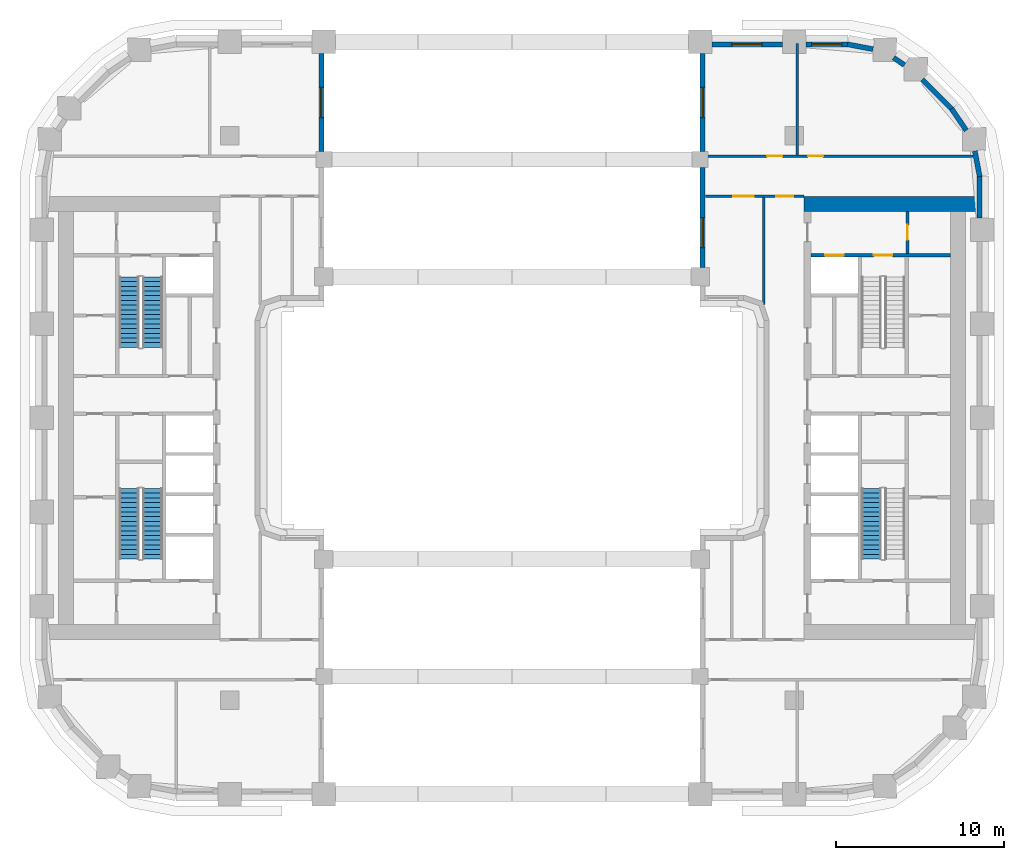
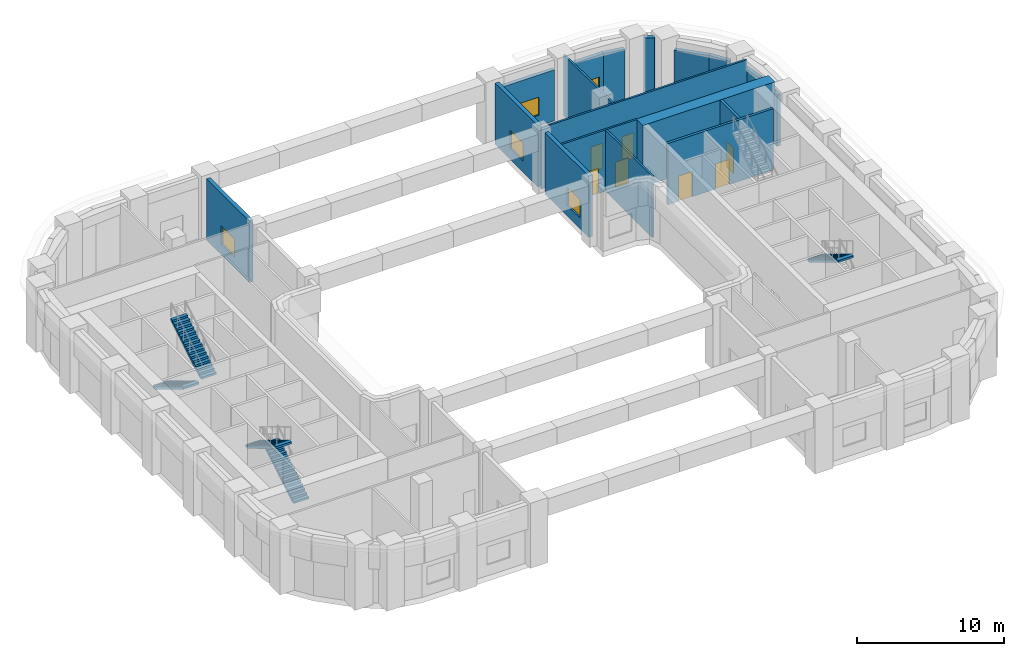
# One storey, part 6 of 14: 18 walls, 7 doors, 5 stair flights, 5 windows, 12 openings, 3 elements without a shape of their own.
"""IFC4 building model written with IfcOpenShell, lengths in metres."""

from ifc_helpers import new_model, si_unit, direction, frame, frame_2d, origin, place, context, subcontext, project, spatial, polyline, rectangle, outline, extrude, material, layer, layer_set, type_object, element, fill, aggregate, save


model = new_model("IFC4")

# Units and contexts
model_context = context("Model", 3, precision=1e-05, world=origin(), true_north=direction((0.0, 1.0)))
body_context = subcontext(model_context, "Body", "Model", "MODEL_VIEW")
ifc_project = project(units=[si_unit("LENGTHUNIT", "METRE"), si_unit("AREAUNIT", "SQUARE_METRE"), si_unit("VOLUMEUNIT", "CUBIC_METRE"), si_unit("PLANEANGLEUNIT", "RADIAN"), si_unit("MASSUNIT", "GRAM", prefix="KILO")], contexts=[model_context])

# Site, building, storey
site_placement = place(None, origin())
site = spatial("IfcSite", under=ifc_project, at=site_placement, CompositionType="ELEMENT")
building_placement = place(site_placement, origin())
building = spatial("IfcBuilding", under=site, at=building_placement, Name="Kiln Ring Residences", CompositionType="ELEMENT")
storey_placement = place(building_placement, frame((0.0, 0.0, 77.89990234375)))
storey = spatial("IfcBuildingStorey", under=building, at=storey_placement, Name="L19", CompositionType="ELEMENT", Elevation=77.89990234375)

# Wall, opening, door
ifc_material_1 = material(Name="Gypsum board on steel studs", Category="steel")
ifc_layer_1 = layer(ifc_material_1, 0.199951171875)
ifc_layer_set_1 = layer_set([ifc_layer_1], Name="CORE-PARTITION-200")
wall_type_1 = type_object("IfcWallType", Name="CORE-PARTITION-200", PredefinedType="PARTITIONING", material=ifc_layer_set_1)
wall_1_placement = place(storey_placement, frame((23.550048828125, 9.800048828125, 0.0), z_axis=(0.0, 0.0, 1.0), x_axis=(0.0, 1.0, 0.0)))
wall_1 = element("IfcWall", 1, at=wall_1_placement, inside=storey, type_object=wall_type_1, Name="Core partition east L19 4", PredefinedType="PARTITIONING", context=body_context, shape_type="SweptSolid", body=[
    extrude(rectangle(XDim=2.5, YDim=0.199951171875, at=frame_2d((1.25, 0.0))), origin(), (0.0, 0.0, 1.0), 5.10009765625),
])
opening_1_placement = place(wall_1_placement, frame((0.800048828125, 0.0, 0.0)))
opening_1 = element("IfcOpeningElement", 2, at=opening_1_placement, cuts=wall_1, Name="Opening L19-CE10", PredefinedType="OPENING", context=body_context, shape_type="SweptSolid", body=[
    extrude(rectangle(XDim=0.89990234375, YDim=2.10009765625, at=frame_2d((0.449951171875, 1.050048828125))), frame((0.0, 0.10986328125, 0.0), z_axis=(0.0, -1.0, 0.0), x_axis=(1.0, 0.0, 0.0)), (0.0, 0.0, 1.0), 0.219970703125),
])
ifc_material_2 = material(Name="Steel door leaf", Category="steel")
door_type_1 = type_object("IfcDoorType", Name="CORE-DOOR-ROOM", OperationType="SINGLE_SWING_LEFT", PredefinedType="DOOR", material=ifc_material_2)
door_1_placement = place(opening_1_placement, origin())
door_1 = element("IfcDoor", 3, at=door_1_placement, inside=storey, type_object=door_type_1, Name="Fire riser room L19-CE10", OperationType="SINGLE_SWING_LEFT", OverallHeight=2.10009765625, OverallWidth=0.89990234375, PredefinedType="DOOR", context=body_context, shape_type="SweptSolid", body=[
    extrude(rectangle(XDim=0.89990234375, YDim=2.10009765625, at=frame_2d((0.449951171875, 1.050048828125))), frame((0.0, 0.02490234375, 0.0), z_axis=(0.0, -1.0, 0.0), x_axis=(1.0, 0.0, 0.0)), (0.0, 0.0, 1.0), 0.050048828125),
])
fill(opening_1, door_1)

# Wall, openings, doors
ifc_material_3 = material(Name="Concrete C40/50", Category="concrete")
ifc_layer_2 = layer(ifc_material_3, 0.199951171875)
ifc_layer_set_2 = layer_set([ifc_layer_2], Name="CORE-WALL-RC200")
wall_type_2 = type_object("IfcWallType", Name="CORE-WALL-RC200", PredefinedType="SHEAR", material=ifc_layer_set_2)
wall_2_placement = place(storey_placement, frame((17.800048828125, 9.699951171875, 0.0), z_axis=(0.0, 0.0, 1.0), x_axis=(1.0, 0.0, 0.0)))
wall_2 = element("IfcWall", 4, at=wall_2_placement, inside=storey, type_object=wall_type_2, Name="Core wall east L19 9", PredefinedType="SHEAR", context=body_context, shape_type="SweptSolid", body=[
    extrude(rectangle(XDim=8.300048828125, YDim=0.199951171875, at=frame_2d((4.14990234375, 0.0))), origin(), (0.0, 0.0, 1.0), 5.10009765625),
])
opening_2_placement = place(wall_2_placement, frame((0.85009765625, 0.0, 0.0)))
opening_2 = element("IfcOpeningElement", 5, at=opening_2_placement, cuts=wall_2, Name="Opening L19-CE07", PredefinedType="OPENING", context=body_context, shape_type="SweptSolid", body=[
    extrude(rectangle(XDim=1.10009765625, YDim=2.10009765625, at=frame_2d((0.550048828125, 1.050048828125))), frame((0.0, 0.10986328125, 0.0), z_axis=(0.0, -1.0, 0.0), x_axis=(1.0, 0.0, 0.0)), (0.0, 0.0, 1.0), 0.219970703125),
])
opening_3_placement = place(wall_2_placement, frame((3.75, 0.0, 0.0)))
opening_3 = element("IfcOpeningElement", 6, at=opening_3_placement, cuts=wall_2, Name="Opening L19-CE12", PredefinedType="OPENING", context=body_context, shape_type="SweptSolid", body=[
    extrude(rectangle(XDim=1.10009765625, YDim=2.10009765625, at=frame_2d((0.550048828125, 1.050048828125))), frame((0.0, 0.10986328125, 0.0), z_axis=(0.0, -1.0, 0.0), x_axis=(1.0, 0.0, 0.0)), (0.0, 0.0, 1.0), 0.219970703125),
])
ifc_material_4 = material(Name="Steel door leaf", Category="steel")
door_type_2 = type_object("IfcDoorType", Name="CORE-DOOR-LD", OperationType="DOUBLE_DOOR_SLIDING", PredefinedType="DOOR", material=ifc_material_4)
door_2_placement = place(opening_2_placement, origin())
door_2 = element("IfcDoor", 7, at=door_2_placement, inside=storey, type_object=door_type_2, Name="LD E-FF L19-CE07", OperationType="DOUBLE_DOOR_SLIDING", OverallHeight=2.10009765625, OverallWidth=1.10009765625, PredefinedType="DOOR", context=body_context, shape_type="SweptSolid", body=[
    extrude(rectangle(XDim=1.10009765625, YDim=2.10009765625, at=frame_2d((0.550048828125, 1.050048828125))), frame((0.0, 0.02490234375, 0.0), z_axis=(0.0, -1.0, 0.0), x_axis=(1.0, 0.0, 0.0)), (0.0, 0.0, 1.0), 0.050048828125),
])
fill(opening_2, door_2)
ifc_material_5 = material(Name="Steel door leaf", Category="steel")
door_type_3 = type_object("IfcDoorType", Name="CORE-DOOR-STAIR", OperationType="SINGLE_SWING_LEFT", PredefinedType="DOOR", material=ifc_material_5)
door_3_placement = place(opening_3_placement, origin())
door_3 = element("IfcDoor", 8, at=door_3_placement, inside=storey, type_object=door_type_3, Name="Stair E-STN L19-CE12", OperationType="SINGLE_SWING_LEFT", OverallHeight=2.10009765625, OverallWidth=1.10009765625, PredefinedType="DOOR", context=body_context, shape_type="SweptSolid", body=[
    extrude(rectangle(XDim=1.10009765625, YDim=2.10009765625, at=frame_2d((0.550048828125, 1.050048828125))), frame((0.0, 0.02490234375, 0.0), z_axis=(0.0, -1.0, 0.0), x_axis=(1.0, 0.0, 0.0)), (0.0, 0.0, 1.0), 0.050048828125),
])
fill(opening_3, door_3)

# Wall
ifc_material_6 = material(Name="Concrete C60/75", Category="concrete")
ifc_layer_3 = layer(ifc_material_6, 0.89990234375)
ifc_layer_set_3 = layer_set([ifc_layer_3], Name="CORE-WALL-RC900")
wall_type_3 = type_object("IfcWallType", Name="CORE-WALL-RC900", PredefinedType="SHEAR", material=ifc_layer_set_3)
wall_3_placement = place(storey_placement, frame((17.39990234375, 12.75, 0.0), z_axis=(0.0, 0.0, 1.0), x_axis=(1.0, 0.0, 0.0)))
element("IfcWall", 9, at=wall_3_placement, inside=storey, type_object=wall_type_3, Name="Core wall east L19 4", PredefinedType="SHEAR", context=body_context, shape_type="SweptSolid", body=[
    extrude(rectangle(XDim=10.400146484375, YDim=0.89990234375, at=frame_2d((5.2001953125, 0.0))), origin(), (0.0, 0.0, 1.0), 5.10009765625),
])

# Wall, opening, window
ifc_material_7 = material(Name="Brick masonry, dark clay brick", Category="masonry")
ifc_layer_4 = layer(ifc_material_7, 0.300048828125)
ifc_layer_set_4 = layer_set([ifc_layer_4], Name="EW-300 BRICK WALL")
wall_type_4 = type_object("IfcWallType", Name="EW-300 BRICK WALL", PredefinedType="SOLIDWALL", material=ifc_layer_set_4)
wall_4_placement = place(storey_placement, frame((-11.35009765625, 15.875, 0.0), z_axis=(0.0, 0.0, 1.0), x_axis=(0.0, 1.0, 0.0)))
wall_4 = element("IfcWall", 10, at=wall_4_placement, inside=storey, type_object=wall_type_4, Name="Facade wall L19 16", PredefinedType="SOLIDWALL", context=body_context, shape_type="SweptSolid", body=[
    extrude(rectangle(XDim=5.824951171875, YDim=0.300048828125, at=frame_2d((2.91259765625, 0.0))), origin(), (0.0, 0.0, 1.0), 5.10009765625),
])
opening_4_placement = place(wall_4_placement, frame((2.012451171875, 0.0, 0.89990234375)))
opening_4 = element("IfcOpeningElement", 11, at=opening_4_placement, cuts=wall_4, Name="Opening LV1", PredefinedType="OPENING", context=body_context, shape_type="SweptSolid", body=[
    extrude(rectangle(XDim=1.800048828125, YDim=1.5, at=frame_2d((0.89990234375, 0.75))), frame((0.0, 0.159912109375, 0.0), z_axis=(0.0, -1.0, 0.0), x_axis=(1.0, 0.0, 0.0)), (0.0, 0.0, 1.0), 0.320068359375),
])
ifc_material_8 = material(Name="Aluminium louvre", Category="aluminium")
window_type = type_object("IfcWindowType", Name="LOUVRED VENT 1800 x 1500", PartitioningType="SINGLE_PANEL", PredefinedType="WINDOW", material=ifc_material_8)
window_1_placement = place(opening_4_placement, origin())
window_1 = element("IfcWindow", 12, at=window_1_placement, inside=storey, type_object=window_type, Name="Louvred vent L19 7", OverallHeight=1.5, OverallWidth=1.800048828125, PartitioningType="SINGLE_PANEL", PredefinedType="WINDOW", context=body_context, shape_type="SweptSolid", body=[
    extrude(rectangle(XDim=1.800048828125, YDim=1.5, at=frame_2d((0.89990234375, 0.75))), frame((0.0, 0.030029296875, 0.0), z_axis=(0.0, -1.0, 0.0), x_axis=(1.0, 0.0, 0.0)), (0.0, 0.0, 1.0), 0.06005859375),
])
fill(opening_4, window_1)

# Walls
wall_5_placement = place(storey_placement, frame((27.85009765625, 11.89990234375, 0.0), z_axis=(0.0, 0.0, 1.0), x_axis=(0.0, 1.0, 0.0)))
element("IfcWall", 13, at=wall_5_placement, inside=storey, type_object=wall_type_4, Name="Facade wall L19 46", PredefinedType="SOLIDWALL", context=body_context, shape_type="SweptSolid", body=[
    extrude(rectangle(XDim=2.5, YDim=0.300048828125, at=frame_2d((1.25, 0.0))), origin(), (0.0, 0.0, 1.0), 4.25),
])
for number, where, z_axis, x_axis, name in (
    (14, (27.8525390625, 14.371826171875, 0.0), (0.0, 0.0, 1.0), (-0.187328386968, 0.982297345734, 0.0), "Facade wall L19 47"),
    (15, (27.053466796875, 17.125732421875, 0.0), (0.0, 0.0, 1.0), (-0.56199241657, 0.827142384187, 0.0), "Facade wall L19 48"),
):
    element("IfcWall", number, at=place(storey_placement, frame(where, z_axis=z_axis, x_axis=x_axis)), inside=storey, type_object=wall_type_4, Name=name, PredefinedType="SOLIDWALL", context=body_context, shape_type="SweptSolid", body=[
        extrude(rectangle(XDim=1.55615234375, YDim=0.300048828125, at=frame_2d((0.778076171875, 0.0))), origin(), (0.0, 0.0, 1.0), 4.25),
    ])
wall_6_placement = place(storey_placement, frame((26.19677734375, 18.390869140625, 0.0), z_axis=(0.0, 0.0, 1.0), x_axis=(-0.707057949532, 0.707155609469, 0.0)))
element("IfcWall", 16, at=wall_6_placement, inside=storey, type_object=wall_type_4, Name="Facade wall L19 49", PredefinedType="SOLIDWALL", context=body_context, shape_type="SweptSolid", body=[
    extrude(rectangle(XDim=2.5, YDim=0.300048828125, at=frame_2d((1.25, 0.0))), origin(), (0.0, 0.0, 1.0), 4.25),
])
wall_7_placement = place(storey_placement, frame((23.368408203125, 21.016845703125, 0.0), z_axis=(0.0, 0.0, 1.0), x_axis=(-0.827037530089, 0.562146710232, 0.0)))
element("IfcWall", 17, at=wall_7_placement, inside=storey, type_object=wall_type_4, Name="Facade wall L19 50", PredefinedType="SOLIDWALL", context=body_context, shape_type="SweptSolid", body=[
    extrude(rectangle(XDim=0.77685546875, YDim=0.300048828125, at=frame_2d((0.388427734375, 0.0))), origin(), (0.0, 0.0, 1.0), 5.10009765625),
])
wall_8_placement = place(storey_placement, frame((21.50048828125, 21.961181640625, 0.0), z_axis=(0.0, 0.0, 1.0), x_axis=(-0.982297345734, 0.187328386968, 0.0)))
element("IfcWall", 18, at=wall_8_placement, inside=storey, type_object=wall_type_4, Name="Facade wall L19 51", PredefinedType="SOLIDWALL", context=body_context, shape_type="SweptSolid", body=[
    extrude(rectangle(XDim=1.55615234375, YDim=0.300048828125, at=frame_2d((0.778076171875, 0.0))), origin(), (0.0, 0.0, 1.0), 4.25),
])

# Wall, opening, window
wall_9_placement = place(storey_placement, frame((20.0, 22.25, 0.0), z_axis=(0.0, 0.0, 1.0), x_axis=(-1.0, 0.0, 0.0)))
wall_9 = element("IfcWall", 19, at=wall_9_placement, inside=storey, type_object=wall_type_4, Name="Facade wall L19 52", PredefinedType="SOLIDWALL", context=body_context, shape_type="SweptSolid", body=[
    extrude(rectangle(XDim=2.5, YDim=0.300048828125, at=frame_2d((1.25, 0.0))), origin(), (0.0, 0.0, 1.0), 4.25),
])
opening_5_placement = place(wall_9_placement, frame((0.35009765625, 0.0, 0.89990234375)))
opening_5 = element("IfcOpeningElement", 20, at=opening_5_placement, cuts=wall_9, Name="Opening LV1", PredefinedType="OPENING", context=body_context, shape_type="SweptSolid", body=[
    extrude(rectangle(XDim=1.800048828125, YDim=1.5, at=frame_2d((0.89990234375, 0.75))), frame((0.0, 0.159912109375, 0.0), z_axis=(0.0, -1.0, 0.0), x_axis=(1.0, 0.0, 0.0)), (0.0, 0.0, 1.0), 0.320068359375),
])
window_2_placement = place(opening_5_placement, origin())
window_2 = element("IfcWindow", 21, at=window_2_placement, inside=storey, type_object=window_type, Name="Louvred vent L19 13", OverallHeight=1.5, OverallWidth=1.800048828125, PartitioningType="SINGLE_PANEL", PredefinedType="WINDOW", context=body_context, shape_type="SweptSolid", body=[
    extrude(rectangle(XDim=1.800048828125, YDim=1.5, at=frame_2d((0.89990234375, 0.75))), frame((0.0, 0.030029296875, 0.0), z_axis=(0.0, -1.0, 0.0), x_axis=(1.0, 0.0, 0.0)), (0.0, 0.0, 1.0), 0.06005859375),
])
fill(opening_5, window_2)

wall_10_placement = place(storey_placement, frame((16.10009765625, 22.25, 0.0), z_axis=(0.0, 0.0, 1.0), x_axis=(-1.0, 0.0, 0.0)))
wall_10 = element("IfcWall", 22, at=wall_10_placement, inside=storey, type_object=wall_type_4, Name="Facade wall L19 53", PredefinedType="SOLIDWALL", context=body_context, shape_type="SweptSolid", body=[
    extrude(rectangle(XDim=4.2001953125, YDim=0.300048828125, at=frame_2d((2.10009765625, 0.0))), origin(), (0.0, 0.0, 1.0), 4.25),
])
opening_6_placement = place(wall_10_placement, frame((1.199951171875, 0.0, 0.89990234375)))
opening_6 = element("IfcOpeningElement", 23, at=opening_6_placement, cuts=wall_10, Name="Opening LV1", PredefinedType="OPENING", context=body_context, shape_type="SweptSolid", body=[
    extrude(rectangle(XDim=1.800048828125, YDim=1.5, at=frame_2d((0.89990234375, 0.75))), frame((0.0, 0.159912109375, 0.0), z_axis=(0.0, -1.0, 0.0), x_axis=(1.0, 0.0, 0.0)), (0.0, 0.0, 1.0), 0.320068359375),
])
window_3_placement = place(opening_6_placement, origin())
window_3 = element("IfcWindow", 24, at=window_3_placement, inside=storey, type_object=window_type, Name="Louvred vent L19 14", OverallHeight=1.5, OverallWidth=1.800048828125, PartitioningType="SINGLE_PANEL", PredefinedType="WINDOW", context=body_context, shape_type="SweptSolid", body=[
    extrude(rectangle(XDim=1.800048828125, YDim=1.5, at=frame_2d((0.89990234375, 0.75))), frame((0.0, 0.030029296875, 0.0), z_axis=(0.0, -1.0, 0.0), x_axis=(1.0, 0.0, 0.0)), (0.0, 0.0, 1.0), 0.06005859375),
])
fill(opening_6, window_3)

wall_11_placement = place(storey_placement, frame((11.35009765625, 21.699951171875, 0.0), z_axis=(0.0, 0.0, 1.0), x_axis=(0.0, -1.0, 0.0)))
wall_11 = element("IfcWall", 25, at=wall_11_placement, inside=storey, type_object=wall_type_4, Name="Facade wall L19 54", PredefinedType="SOLIDWALL", context=body_context, shape_type="SweptSolid", body=[
    extrude(rectangle(XDim=5.824951171875, YDim=0.300048828125, at=frame_2d((2.91259765625, 0.0))), origin(), (0.0, 0.0, 1.0), 5.10009765625),
])
opening_7_placement = place(wall_11_placement, frame((2.012451171875, 0.0, 0.89990234375)))
opening_7 = element("IfcOpeningElement", 26, at=opening_7_placement, cuts=wall_11, Name="Opening LV1", PredefinedType="OPENING", context=body_context, shape_type="SweptSolid", body=[
    extrude(rectangle(XDim=1.800048828125, YDim=1.5, at=frame_2d((0.89990234375, 0.75))), frame((0.0, 0.159912109375, 0.0), z_axis=(0.0, -1.0, 0.0), x_axis=(1.0, 0.0, 0.0)), (0.0, 0.0, 1.0), 0.320068359375),
])
window_4_placement = place(opening_7_placement, origin())
window_4 = element("IfcWindow", 27, at=window_4_placement, inside=storey, type_object=window_type, Name="Louvred vent L19 15", OverallHeight=1.5, OverallWidth=1.800048828125, PartitioningType="SINGLE_PANEL", PredefinedType="WINDOW", context=body_context, shape_type="SweptSolid", body=[
    extrude(rectangle(XDim=1.800048828125, YDim=1.5, at=frame_2d((0.89990234375, 0.75))), frame((0.0, 0.030029296875, 0.0), z_axis=(0.0, -1.0, 0.0), x_axis=(1.0, 0.0, 0.0)), (0.0, 0.0, 1.0), 0.06005859375),
])
fill(opening_7, window_4)

wall_12_placement = place(storey_placement, frame((11.35009765625, 14.925048828125, 0.0), z_axis=(0.0, 0.0, 1.0), x_axis=(0.0, -1.0, 0.0)))
wall_12 = element("IfcWall", 28, at=wall_12_placement, inside=storey, type_object=wall_type_4, Name="Facade wall L19 55", PredefinedType="SOLIDWALL", context=body_context, shape_type="SweptSolid", body=[
    extrude(rectangle(XDim=5.97509765625, YDim=0.300048828125, at=frame_2d((2.987548828125, 0.0))), origin(), (0.0, 0.0, 1.0), 5.10009765625),
])
opening_8_placement = place(wall_12_placement, frame((2.987548828125, 0.0, 0.89990234375)))
opening_8 = element("IfcOpeningElement", 29, at=opening_8_placement, cuts=wall_12, Name="Opening LV1", PredefinedType="OPENING", context=body_context, shape_type="SweptSolid", body=[
    extrude(rectangle(XDim=1.800048828125, YDim=1.5, at=frame_2d((0.89990234375, 0.75))), frame((0.0, 0.159912109375, 0.0), z_axis=(0.0, -1.0, 0.0), x_axis=(1.0, 0.0, 0.0)), (0.0, 0.0, 1.0), 0.320068359375),
])
window_5_placement = place(opening_8_placement, origin())
window_5 = element("IfcWindow", 30, at=window_5_placement, inside=storey, type_object=window_type, Name="Louvred vent L19 16", OverallHeight=1.5, OverallWidth=1.800048828125, PartitioningType="SINGLE_PANEL", PredefinedType="WINDOW", context=body_context, shape_type="SweptSolid", body=[
    extrude(rectangle(XDim=1.800048828125, YDim=1.5, at=frame_2d((0.89990234375, 0.75))), frame((0.0, 0.030029296875, 0.0), z_axis=(0.0, -1.0, 0.0), x_axis=(1.0, 0.0, 0.0)), (0.0, 0.0, 1.0), 0.06005859375),
])
fill(opening_8, window_5)

# Wall, openings, doors
ifc_material_9 = material(Name="Brick masonry partition", Category="masonry")
ifc_layer_5 = layer(ifc_material_9, 0.14990234375)
ifc_layer_set_5 = layer_set([ifc_layer_5], Name="PARTITION-150-ei60")
wall_type_5 = type_object("IfcWallType", Name="PARTITION-150-ei60", PredefinedType="PARTITIONING", material=ifc_layer_set_5)
wall_13_placement = place(storey_placement, frame((11.52001953125, 13.199951171875, 0.0), z_axis=(0.0, 0.0, 1.0), x_axis=(1.0, 0.0, 0.0)))
wall_13 = element("IfcWall", 31, at=wall_13_placement, inside=storey, type_object=wall_type_5, Name="Partition 005", PredefinedType="PARTITIONING", context=body_context, shape_type="SweptSolid", body=[
    extrude(rectangle(XDim=5.8798828125, YDim=0.14990234375, at=frame_2d((2.93994140625, 0.0))), origin(), (0.0, 0.0, 1.0), 5.10009765625),
])
opening_9_placement = place(wall_13_placement, frame((4.22998046875, 0.0, 0.0)))
opening_9 = element("IfcOpeningElement", 32, at=opening_9_placement, cuts=wall_13, Name="Opening L19-D001", PredefinedType="OPENING", context=body_context, shape_type="SweptSolid", body=[
    extrude(rectangle(XDim=1.0, YDim=2.10009765625, at=frame_2d((0.5, 1.050048828125))), frame((0.0, 0.0849609375, 0.0), z_axis=(0.0, -1.0, 0.0), x_axis=(1.0, 0.0, 0.0)), (0.0, 0.0, 1.0), 0.169921875),
])
opening_10_placement = place(wall_13_placement, frame((1.669921875, 0.0, 0.0)))
opening_10 = element("IfcOpeningElement", 33, at=opening_10_placement, cuts=wall_13, Name="Opening L19-D002", PredefinedType="OPENING", context=body_context, shape_type="SweptSolid", body=[
    extrude(rectangle(XDim=1.199951171875, YDim=2.10009765625, at=frame_2d((0.60009765625, 1.050048828125))), frame((0.0, 0.0849609375, 0.0), z_axis=(0.0, -1.0, 0.0), x_axis=(1.0, 0.0, 0.0)), (0.0, 0.0, 1.0), 0.169921875),
])
ifc_material_10 = material(Name="Steel faced fire door leaf", Category="steel")
door_type_4 = type_object("IfcDoorType", Name="FLAT-DOOR-1000-FR", OperationType="SINGLE_SWING_LEFT", PredefinedType="DOOR", material=ifc_material_10)
door_4_placement = place(opening_9_placement, origin())
door_4 = element("IfcDoor", 34, at=door_4_placement, inside=storey, type_object=door_type_4, Name="Door L19-D001", OperationType="SINGLE_SWING_RIGHT", OverallHeight=2.10009765625, OverallWidth=1.0, PredefinedType="DOOR", context=body_context, shape_type="SweptSolid", body=[
    extrude(rectangle(XDim=1.0, YDim=2.10009765625, at=frame_2d((0.5, 1.050048828125))), frame((0.0, 0.02490234375, 0.0), z_axis=(0.0, -1.0, 0.0), x_axis=(1.0, 0.0, 0.0)), (0.0, 0.0, 1.0), 0.050048828125),
])
fill(opening_9, door_4)
ifc_material_11 = material(Name="Steel faced fire door leaf", Category="steel")
door_type_5 = type_object("IfcDoorType", Name="FLAT-DOOR-1200-FR", OperationType="SINGLE_SWING_LEFT", PredefinedType="DOOR", material=ifc_material_11)
door_5_placement = place(opening_10_placement, origin())
door_5 = element("IfcDoor", 35, at=door_5_placement, inside=storey, type_object=door_type_5, Name="Door L19-D002", OperationType="SINGLE_SWING_RIGHT", OverallHeight=2.10009765625, OverallWidth=1.199951171875, PredefinedType="DOOR", context=body_context, shape_type="SweptSolid", body=[
    extrude(rectangle(XDim=1.199951171875, YDim=2.10009765625, at=frame_2d((0.60009765625, 1.050048828125))), frame((0.0, 0.02490234375, 0.0), z_axis=(0.0, -1.0, 0.0), x_axis=(1.0, 0.0, 0.0)), (0.0, 0.0, 1.0), 0.050048828125),
])
fill(opening_10, door_5)

wall_14_placement = place(storey_placement, frame((11.2900390625, 15.60009765625, 0.0), z_axis=(0.0, 0.0, 1.0), x_axis=(1.0, 0.0, 0.0)))
wall_14 = element("IfcWall", 36, at=wall_14_placement, inside=storey, type_object=wall_type_5, Name="Partition 007", PredefinedType="PARTITIONING", context=body_context, shape_type="SweptSolid", body=[
    extrude(rectangle(XDim=16.15576171875, YDim=0.14990234375, at=frame_2d((8.077880859375, 0.0))), origin(), (0.0, 0.0, 1.0), 5.10009765625),
])
opening_11_placement = place(wall_14_placement, frame((3.909912109375, 0.0, 0.0)))
opening_11 = element("IfcOpeningElement", 37, at=opening_11_placement, cuts=wall_14, Name="Opening L19-D003", PredefinedType="OPENING", context=body_context, shape_type="SweptSolid", body=[
    extrude(rectangle(XDim=0.89990234375, YDim=2.10009765625, at=frame_2d((0.449951171875, 1.050048828125))), frame((0.0, 0.0849609375, 0.0), z_axis=(0.0, -1.0, 0.0), x_axis=(1.0, 0.0, 0.0)), (0.0, 0.0, 1.0), 0.169921875),
])
opening_12_placement = place(wall_14_placement, frame((6.339111328125, 0.0, 0.0)))
opening_12 = element("IfcOpeningElement", 38, at=opening_12_placement, cuts=wall_14, Name="Opening L19-D004", PredefinedType="OPENING", context=body_context, shape_type="SweptSolid", body=[
    extrude(rectangle(XDim=0.89990234375, YDim=2.10009765625, at=frame_2d((0.449951171875, 1.050048828125))), frame((0.0, 0.0849609375, 0.0), z_axis=(0.0, -1.0, 0.0), x_axis=(1.0, 0.0, 0.0)), (0.0, 0.0, 1.0), 0.169921875),
])
ifc_material_12 = material(Name="Steel faced fire door leaf", Category="steel")
door_type_6 = type_object("IfcDoorType", Name="FLAT-DOOR-900-FR", OperationType="SINGLE_SWING_LEFT", PredefinedType="DOOR", material=ifc_material_12)
door_6_placement = place(opening_11_placement, origin())
door_6 = element("IfcDoor", 39, at=door_6_placement, inside=storey, type_object=door_type_6, Name="Door L19-D003", OperationType="SINGLE_SWING_LEFT", OverallHeight=2.10009765625, OverallWidth=0.89990234375, PredefinedType="DOOR", context=body_context, shape_type="SweptSolid", body=[
    extrude(rectangle(XDim=0.89990234375, YDim=2.10009765625, at=frame_2d((0.449951171875, 1.050048828125))), frame((0.0, 0.02490234375, 0.0), z_axis=(0.0, -1.0, 0.0), x_axis=(1.0, 0.0, 0.0)), (0.0, 0.0, 1.0), 0.050048828125),
])
fill(opening_11, door_6)
door_7_placement = place(opening_12_placement, origin())
door_7 = element("IfcDoor", 40, at=door_7_placement, inside=storey, type_object=door_type_6, Name="Door L19-D004", OperationType="SINGLE_SWING_RIGHT", OverallHeight=2.10009765625, OverallWidth=0.89990234375, PredefinedType="DOOR", context=body_context, shape_type="SweptSolid", body=[
    extrude(rectangle(XDim=0.89990234375, YDim=2.10009765625, at=frame_2d((0.449951171875, 1.050048828125))), frame((0.0, 0.02490234375, 0.0), z_axis=(0.0, -1.0, 0.0), x_axis=(1.0, 0.0, 0.0)), (0.0, 0.0, 1.0), 0.050048828125),
])
fill(opening_12, door_7)

# Walls
wall_15_placement = place(storey_placement, frame((15.0, 6.768798828125, 0.0), z_axis=(0.0, 0.0, 1.0), x_axis=(0.0, 1.0, 0.0)))
element("IfcWall", 41, at=wall_15_placement, inside=storey, type_object=wall_type_5, Name="Partition 015", PredefinedType="PARTITIONING", context=body_context, shape_type="SweptSolid", body=[
    extrude(rectangle(XDim=6.356201171875, YDim=0.14990234375, at=frame_2d((3.17822265625, 0.0))), origin(), (0.0, 0.0, 1.0), 5.10009765625),
])
wall_16_placement = place(storey_placement, frame((17.0, 15.675048828125, 0.0), z_axis=(0.0, 0.0, 1.0), x_axis=(0.0, 1.0, 0.0)))
element("IfcWall", 42, at=wall_16_placement, inside=storey, type_object=wall_type_5, Name="Partition 017", PredefinedType="PARTITIONING", context=body_context, shape_type="SweptSolid", body=[
    extrude(rectangle(XDim=6.635009765625, YDim=0.14990234375, at=frame_2d((3.3173828125, 0.0))), origin(), (0.0, 0.0, 1.0), 5.10009765625),
])

# Stair, stair flights
ifc_material_13 = material(Name="Concrete C40/50", Category="concrete")
stair_type = type_object("IfcStairType", Name="CORE-STAIR", PredefinedType="HALF_TURN_STAIR", material=ifc_material_13)
placement = place(storey_placement, origin())
stair_1 = element("IfcStair", 43, at=placement, inside=storey, type_object=stair_type, Name="L19 stair W-STN", PredefinedType="HALF_TURN_STAIR")
ifc_material_14 = material(Name="Concrete C40/50", Category="concrete")
stair_flight_type = type_object("IfcStairFlightType", Name="CORE-STAIR-FLIGHT", PredefinedType="STRAIGHT", material=ifc_material_14)
stair_flight_1_placement = place(storey_placement, frame((-22.800048828125, 8.39990234375, 0.0), z_axis=(0.0, 0.0, 1.0), x_axis=(0.0, -1.0, 0.0)))
stair_flight_1 = element("IfcStairFlight", 44, at=stair_flight_1_placement, type_object=stair_flight_type, Name="W-STN flight 1", NumberOfRisers=16, NumberOfTreads=15, PredefinedType="STRAIGHT", RiserHeight=0.16875, TreadLength=0.28, context=body_context, shape_type="SweptSolid", body=[
    extrude(outline(polyline([(0.0, 0.0), (0.0, 0.168701171875), (0.280029296875, 0.168701171875), (0.280029296875, 0.33740234375), (0.56005859375, 0.33740234375), (0.56005859375, 0.50634765625), (0.840087890625, 0.50634765625), (0.840087890625, 0.675048828125), (1.1201171875, 0.675048828125), (1.1201171875, 0.84375), (1.39990234375, 0.84375), (1.39990234375, 1.012451171875), (1.679931640625, 1.012451171875), (1.679931640625, 1.18115234375), (1.9599609375, 1.18115234375), (1.9599609375, 1.35009765625), (2.239990234375, 1.35009765625), (2.239990234375, 1.518798828125), (2.52001953125, 1.518798828125), (2.52001953125, 1.6875), (2.800048828125, 1.6875), (2.800048828125, 1.856201171875), (3.080078125, 1.856201171875), (3.080078125, 2.02490234375), (3.360107421875, 2.02490234375), (3.360107421875, 2.19384765625), (3.639892578125, 2.19384765625), (3.639892578125, 2.362548828125), (3.919921875, 2.362548828125), (3.919921875, 2.53125), (4.199951171875, 2.53125), (4.199951171875, 2.699951171875), (4.199951171875, 2.356201171875), (0.29052734375, 0.0), (0.0, 0.0)])), frame((0.0, 0.60009765625, 0.0), z_axis=(0.0, -1.0, 0.0), x_axis=(1.0, 0.0, 0.0)), (0.0, 0.0, 1.0), 1.199951171875),
])
stair_flight_2_placement = place(storey_placement, frame((-21.39990234375, 4.199951171875, 2.7001953125), z_axis=(0.0, 0.0, 1.0), x_axis=(0.0, 1.0, 0.0)))
stair_flight_2 = element("IfcStairFlight", 45, at=stair_flight_2_placement, type_object=stair_flight_type, Name="W-STN flight 2", NumberOfRisers=16, NumberOfTreads=15, PredefinedType="STRAIGHT", RiserHeight=0.16875, TreadLength=0.28, context=body_context, shape_type="SweptSolid", body=[
    extrude(outline(polyline([(0.0, 0.0), (0.0, 0.168701171875), (0.280029296875, 0.168701171875), (0.280029296875, 0.33740234375), (0.56005859375, 0.33740234375), (0.56005859375, 0.50634765625), (0.840087890625, 0.50634765625), (0.840087890625, 0.675048828125), (1.1201171875, 0.675048828125), (1.1201171875, 0.84375), (1.39990234375, 0.84375), (1.39990234375, 1.012451171875), (1.679931640625, 1.012451171875), (1.679931640625, 1.18115234375), (1.9599609375, 1.18115234375), (1.9599609375, 1.35009765625), (2.239990234375, 1.35009765625), (2.239990234375, 1.518798828125), (2.52001953125, 1.518798828125), (2.52001953125, 1.6875), (2.800048828125, 1.6875), (2.800048828125, 1.856201171875), (3.080078125, 1.856201171875), (3.080078125, 2.02490234375), (3.360107421875, 2.02490234375), (3.360107421875, 2.19384765625), (3.639892578125, 2.19384765625), (3.639892578125, 2.362548828125), (3.919921875, 2.362548828125), (3.919921875, 2.53125), (4.199951171875, 2.53125), (4.199951171875, 2.699951171875), (4.199951171875, 2.356201171875), (0.29052734375, 0.0), (0.0, 0.0)])), frame((0.0, 0.60009765625, 0.0), z_axis=(0.0, -1.0, 0.0), x_axis=(1.0, 0.0, 0.0)), (0.0, 0.0, 1.0), 1.199951171875),
])
aggregate(stair_1, [stair_flight_1, stair_flight_2])

stair_2 = element("IfcStair", 46, at=placement, inside=storey, type_object=stair_type, Name="L19 stair W-STS", PredefinedType="HALF_TURN_STAIR")
stair_flight_3_placement = place(storey_placement, frame((-21.39990234375, -8.39990234375, 0.0), z_axis=(0.0, 0.0, 1.0), x_axis=(0.0, 1.0, 0.0)))
stair_flight_3 = element("IfcStairFlight", 47, at=stair_flight_3_placement, type_object=stair_flight_type, Name="W-STS flight 1", NumberOfRisers=16, NumberOfTreads=15, PredefinedType="STRAIGHT", RiserHeight=0.16875, TreadLength=0.28, context=body_context, shape_type="SweptSolid", body=[
    extrude(outline(polyline([(0.0, 0.0), (0.0, 0.168701171875), (0.280029296875, 0.168701171875), (0.280029296875, 0.33740234375), (0.56005859375, 0.33740234375), (0.56005859375, 0.50634765625), (0.840087890625, 0.50634765625), (0.840087890625, 0.675048828125), (1.1201171875, 0.675048828125), (1.1201171875, 0.84375), (1.39990234375, 0.84375), (1.39990234375, 1.012451171875), (1.679931640625, 1.012451171875), (1.679931640625, 1.18115234375), (1.9599609375, 1.18115234375), (1.9599609375, 1.35009765625), (2.239990234375, 1.35009765625), (2.239990234375, 1.518798828125), (2.52001953125, 1.518798828125), (2.52001953125, 1.6875), (2.800048828125, 1.6875), (2.800048828125, 1.856201171875), (3.080078125, 1.856201171875), (3.080078125, 2.02490234375), (3.360107421875, 2.02490234375), (3.360107421875, 2.19384765625), (3.639892578125, 2.19384765625), (3.639892578125, 2.362548828125), (3.919921875, 2.362548828125), (3.919921875, 2.53125), (4.199951171875, 2.53125), (4.199951171875, 2.699951171875), (4.199951171875, 2.356201171875), (0.29052734375, 0.0), (0.0, 0.0)])), frame((0.0, 0.60009765625, 0.0), z_axis=(0.0, -1.0, 0.0), x_axis=(1.0, 0.0, 0.0)), (0.0, 0.0, 1.0), 1.199951171875),
])
stair_flight_4_placement = place(storey_placement, frame((-22.800048828125, -4.199951171875, 2.7001953125), z_axis=(0.0, 0.0, 1.0), x_axis=(0.0, -1.0, 0.0)))
stair_flight_4 = element("IfcStairFlight", 48, at=stair_flight_4_placement, type_object=stair_flight_type, Name="W-STS flight 2", NumberOfRisers=16, NumberOfTreads=15, PredefinedType="STRAIGHT", RiserHeight=0.16875, TreadLength=0.28, context=body_context, shape_type="SweptSolid", body=[
    extrude(outline(polyline([(0.0, 0.0), (0.0, 0.168701171875), (0.280029296875, 0.168701171875), (0.280029296875, 0.33740234375), (0.56005859375, 0.33740234375), (0.56005859375, 0.50634765625), (0.840087890625, 0.50634765625), (0.840087890625, 0.675048828125), (1.1201171875, 0.675048828125), (1.1201171875, 0.84375), (1.39990234375, 0.84375), (1.39990234375, 1.012451171875), (1.679931640625, 1.012451171875), (1.679931640625, 1.18115234375), (1.9599609375, 1.18115234375), (1.9599609375, 1.35009765625), (2.239990234375, 1.35009765625), (2.239990234375, 1.518798828125), (2.52001953125, 1.518798828125), (2.52001953125, 1.6875), (2.800048828125, 1.6875), (2.800048828125, 1.856201171875), (3.080078125, 1.856201171875), (3.080078125, 2.02490234375), (3.360107421875, 2.02490234375), (3.360107421875, 2.19384765625), (3.639892578125, 2.19384765625), (3.639892578125, 2.362548828125), (3.919921875, 2.362548828125), (3.919921875, 2.53125), (4.199951171875, 2.53125), (4.199951171875, 2.699951171875), (4.199951171875, 2.356201171875), (0.29052734375, 0.0), (0.0, 0.0)])), frame((0.0, 0.60009765625, 0.0), z_axis=(0.0, -1.0, 0.0), x_axis=(1.0, 0.0, 0.0)), (0.0, 0.0, 1.0), 1.199951171875),
])
aggregate(stair_2, [stair_flight_3, stair_flight_4])

# Stair, stair flight
stair_3 = element("IfcStair", 49, at=placement, inside=storey, type_object=stair_type, Name="L19 stair E-STS", PredefinedType="HALF_TURN_STAIR")
stair_flight_5_placement = place(storey_placement, frame((21.39990234375, -4.199951171875, 2.7001953125), z_axis=(0.0, 0.0, 1.0), x_axis=(0.0, -1.0, 0.0)))
stair_flight_5 = element("IfcStairFlight", 50, at=stair_flight_5_placement, type_object=stair_flight_type, Name="E-STS flight 2", NumberOfRisers=16, NumberOfTreads=15, PredefinedType="STRAIGHT", RiserHeight=0.16875, TreadLength=0.28, context=body_context, shape_type="SweptSolid", body=[
    extrude(outline(polyline([(0.0, 0.0), (0.0, 0.168701171875), (0.280029296875, 0.168701171875), (0.280029296875, 0.33740234375), (0.56005859375, 0.33740234375), (0.56005859375, 0.50634765625), (0.840087890625, 0.50634765625), (0.840087890625, 0.675048828125), (1.1201171875, 0.675048828125), (1.1201171875, 0.84375), (1.39990234375, 0.84375), (1.39990234375, 1.012451171875), (1.679931640625, 1.012451171875), (1.679931640625, 1.18115234375), (1.9599609375, 1.18115234375), (1.9599609375, 1.35009765625), (2.239990234375, 1.35009765625), (2.239990234375, 1.518798828125), (2.52001953125, 1.518798828125), (2.52001953125, 1.6875), (2.800048828125, 1.6875), (2.800048828125, 1.856201171875), (3.080078125, 1.856201171875), (3.080078125, 2.02490234375), (3.360107421875, 2.02490234375), (3.360107421875, 2.19384765625), (3.639892578125, 2.19384765625), (3.639892578125, 2.362548828125), (3.919921875, 2.362548828125), (3.919921875, 2.53125), (4.199951171875, 2.53125), (4.199951171875, 2.699951171875), (4.199951171875, 2.356201171875), (0.29052734375, 0.0), (0.0, 0.0)])), frame((0.0, 0.60009765625, 0.0), z_axis=(0.0, -1.0, 0.0), x_axis=(1.0, 0.0, 0.0)), (0.0, 0.0, 1.0), 1.199951171875),
])
aggregate(stair_3, [stair_flight_5])

save(model, "model.ifc")
